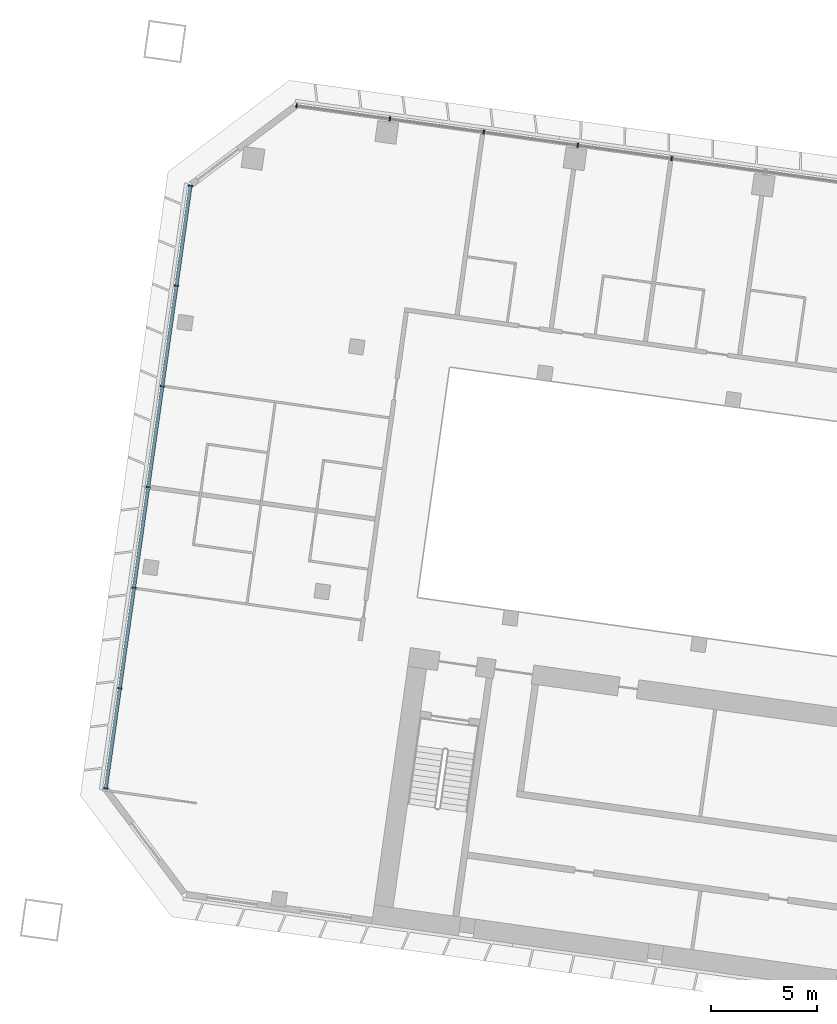
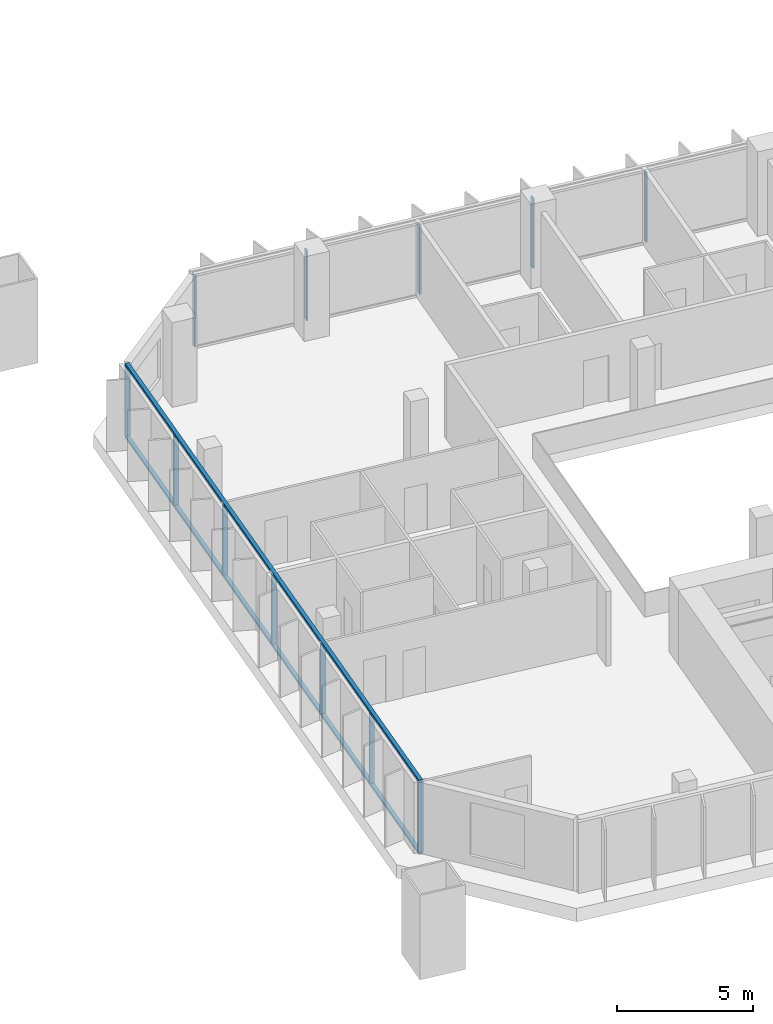
# One storey, part 2 of 24: 14 members, 2 elements without a shape of their own.
"""IFC4 building model written with IfcOpenShell, lengths in metres."""

import ifcopenshell
import ifcopenshell.guid

model = None  # the IFC model being written
_history = None  # IfcOwnerHistory: only IFC2X3 demands one
_inside = {}  # id of a spatial element -> (the spatial element, [elements in it])
_under = {}  # id of a project, library or spatial element -> (it, [spatial elements below it])
_declared = {}  # id of a project -> (the project, [libraries it declares])
_typed = {}  # id of a type object -> (the type object, [elements of that type])
_made_of = {}  # id of a material, layer set ... -> (it, [elements and type objects made of it])


def new_model(schema):
    """Start an empty IFC model of exactly this schema.

    Asked for "IFC4X3", IfcOpenShell would pick the latest addendum, in which some entities
    have other attributes; the version numbers below select the first issue.
    IFC2X3 requires an IfcOwnerHistory on every rooted entity: one is made here for all.
    """
    global model, _history
    if schema == "IFC4X3":
        model = ifcopenshell.file(schema_version=(4, 3, 0, 0))
    else:
        model = ifcopenshell.file(schema=schema)
    _inside.clear()
    _under.clear()
    _declared.clear()
    _typed.clear()
    _made_of.clear()
    _history = None
    if model.schema == "IFC2X3":
        org = make("IfcOrganization", Name="unknown")
        user = make(
            "IfcPersonAndOrganization",
            ThePerson=make("IfcPerson", FamilyName="unknown"),
            TheOrganization=org,
        )
        app = make(
            "IfcApplication",
            ApplicationDeveloper=org,
            Version="unknown",
            ApplicationFullName="unknown",
            ApplicationIdentifier="unknown",
        )
        _history = make(
            "IfcOwnerHistory",
            OwningUser=user,
            OwningApplication=app,
            ChangeAction="ADDED",
            CreationDate=0,
        )
    return model


def make(cls, **values):
    """One entity of the class cls with the attributes given. An attribute that is None is left unset."""
    return model.create_entity(
        cls, **{name: value for name, value in values.items() if value is not None}
    )


def rooted(cls, **values):
    """An entity with a GlobalId (a new one), such as an element, a storey or a relation."""
    return make(cls, GlobalId=ifcopenshell.guid.new(), OwnerHistory=_history, **values)


def si_unit(unit_type, name, prefix=None):
    """IfcSIUnit, for example si_unit("LENGTHUNIT", "METRE", prefix="MILLI")."""
    return make("IfcSIUnit", UnitType=unit_type, Prefix=prefix, Name=name)


def assignment(units):
    """IfcUnitAssignment: the units of a project."""
    return None if units is None else make("IfcUnitAssignment", Units=units)


def point(xyz):
    """IfcCartesianPoint."""
    return None if xyz is None else make("IfcCartesianPoint", Coordinates=xyz)


def direction(xyz):
    """IfcDirection."""
    return None if xyz is None else make("IfcDirection", DirectionRatios=xyz)


def frame(location, z_axis=None, x_axis=None):
    """IfcAxis2Placement3D, a coordinate frame: its origin and axes. An axis left out is left unset."""
    return make(
        "IfcAxis2Placement3D",
        Location=point(location),
        Axis=direction(z_axis),
        RefDirection=direction(x_axis),
    )


def frame_2d(location, x_axis=None):
    """IfcAxis2Placement2D, a coordinate frame in the plane: its origin and x axis."""
    return make(
        "IfcAxis2Placement2D", Location=point(location), RefDirection=direction(x_axis)
    )


def origin():
    """The frame at (0, 0, 0) with its axes left unset."""
    return frame((0.0, 0.0, 0.0))


def origin_2d():
    """The frame at (0, 0) in the plane with its x axis left unset."""
    return frame_2d((0.0, 0.0))


def place(relative_to, where):
    """IfcLocalPlacement: puts the frame where relative to a parent placement (None: the world)."""
    return make(
        "IfcLocalPlacement", PlacementRelTo=relative_to, RelativePlacement=where
    )


def context(
    kind, dimensions, precision=None, world=None, true_north=None, identifier=None
):
    """IfcGeometricRepresentationContext, for example the 3D "Model" context."""
    return make(
        "IfcGeometricRepresentationContext",
        ContextIdentifier=identifier,
        ContextType=kind,
        CoordinateSpaceDimension=dimensions,
        Precision=precision,
        WorldCoordinateSystem=world,
        TrueNorth=true_north,
    )


def subcontext(parent, identifier, kind, view, scale=None):
    """IfcGeometricRepresentationSubContext, for example "Body" below "Model"."""
    return make(
        "IfcGeometricRepresentationSubContext",
        ContextIdentifier=identifier,
        ContextType=kind,
        ParentContext=parent,
        TargetScale=scale,
        TargetView=view,
    )


def project(units=None, contexts=None):
    """IfcProject with its units and contexts."""
    return rooted(
        "IfcProject",
        Name="project",
        RepresentationContexts=contexts,
        UnitsInContext=assignment(units),
    )


def spatial(cls, under=None, at=None, **own):
    """A site, building, storey or space (cls), placed at a placement, below another one or the project."""
    s = rooted(cls, ObjectPlacement=at, **own)
    if under is not None:
        _under.setdefault(under.id(), (under, []))[1].append(s)
    return s


def profile(cls, at=None, kind="AREA", **sizes):
    """A parametric profile (cls). Its sizes go by their IFC names, for example OverallWidth=200.0."""
    return make(cls, ProfileType=kind, Position=at, **sizes)


def rectangle(**sizes):
    """IfcRectangleProfileDef."""
    return profile("IfcRectangleProfileDef", **sizes)


def extrude(swept, where, along, depth):
    """IfcExtrudedAreaSolid: the profile swept, set in the frame where, extruded along a direction by depth."""
    return make(
        "IfcExtrudedAreaSolid",
        SweptArea=swept,
        Position=where,
        ExtrudedDirection=direction(along),
        Depth=depth,
    )


def shape(context_of_items, identifier, shape_type, items):
    """IfcShapeRepresentation: the items that make up one representation, for example the "Body"."""
    return make(
        "IfcShapeRepresentation",
        ContextOfItems=context_of_items,
        RepresentationIdentifier=identifier,
        RepresentationType=shape_type,
        Items=items,
    )


def material(Name=None, Category=None):
    """IfcMaterial."""
    return make("IfcMaterial", Name=Name, Category=Category)


def material_profile(
    of_material, cross_section, Name=None, Category=None, Priority=None
):
    """IfcMaterialProfile: a cross section and its material."""
    return make(
        "IfcMaterialProfile",
        Name=Name,
        Material=of_material,
        Profile=cross_section,
        Priority=Priority,
        Category=Category,
    )


def profile_set(profiles, Name=None, composite=None):
    """IfcMaterialProfileSet."""
    return make(
        "IfcMaterialProfileSet",
        Name=Name,
        MaterialProfiles=profiles,
        CompositeProfile=composite,
    )


def made_of(thing, what):
    """Note that an element or type object is made of a material, layer set ...; save() writes the relation."""
    if what is not None:
        _made_of.setdefault(what.id(), (what, []))[1].append(thing)
    return thing


def type_object(cls, material=None, **own):
    """A type object (cls), such as IfcWallType, which elements share."""
    return made_of(rooted(cls, **own), material)


def element(
    cls,
    number,
    at=None,
    inside=None,
    cuts=None,
    type_object=None,
    material=None,
    context=None,
    identifier="Body",
    shape_type=None,
    held_by="IfcProductDefinitionShape",
    body=None,
    shapes=None,
    **own,
):
    """One element of the class cls, such as IfcWall. Its Tag is "e" and its number.

    at: its placement. inside: the storey or other place that contains it. cuts: it is an
    opening in that element (IfcRelVoidsElement). A single representation is given by context,
    identifier, shape_type and body (its items); several are given by shapes. held_by: the class
    of the entity that holds the representations. save() writes the other relations.
    """
    e = rooted(cls, Tag="e%d" % number, ObjectPlacement=at, **own)
    if body is not None:
        shapes = [shape(context, identifier, shape_type, body)]
    if shapes is not None:
        e.Representation = make(held_by, Representations=shapes)
    if inside is not None:
        _inside.setdefault(inside.id(), (inside, []))[1].append(e)
    if cuts is not None:
        rooted(
            "IfcRelVoidsElement", RelatingBuildingElement=cuts, RelatedOpeningElement=e
        )
    if type_object is not None:
        _typed.setdefault(type_object.id(), (type_object, []))[1].append(e)
    return made_of(e, material)


def aggregate(whole, parts):
    """IfcRelAggregates: a whole, such as a stair, and the parts it consists of."""
    return rooted("IfcRelAggregates", RelatingObject=whole, RelatedObjects=parts)


def save(model, path):
    """Write the relations noted so far, then the file.

    IfcRelAggregates (storeys below a building ...), IfcRelContainedInSpatialStructure (elements
    in a storey), IfcRelDefinesByType, IfcRelAssociatesMaterial and IfcRelDeclares: one each for
    every whole, place, type object, material and project.
    """
    for whole, parts in _under.values():
        aggregate(whole, parts)
    for where, things in _inside.values():
        rooted(
            "IfcRelContainedInSpatialStructure",
            RelatedElements=things,
            RelatingStructure=where,
        )
    for kind, things in _typed.values():
        rooted("IfcRelDefinesByType", RelatedObjects=things, RelatingType=kind)
    for what, things in _made_of.values():
        rooted("IfcRelAssociatesMaterial", RelatedObjects=things, RelatingMaterial=what)
    for by, libraries in _declared.values():
        rooted("IfcRelDeclares", RelatingContext=by, RelatedDefinitions=libraries)
    model.write(path)


model = new_model("IFC4")

# Units and contexts
model_context = context("Model", 3, precision=1e-05, world=origin(), true_north=direction((0.0, 1.0)))
body_context = subcontext(model_context, "Body", "Model", "MODEL_VIEW")
ifc_project = project(units=[si_unit("LENGTHUNIT", "METRE"), si_unit("AREAUNIT", "SQUARE_METRE"), si_unit("VOLUMEUNIT", "CUBIC_METRE"), si_unit("PLANEANGLEUNIT", "RADIAN"), si_unit("MASSUNIT", "GRAM", prefix="KILO")], contexts=[model_context])

# Site, building, storey
site_placement = place(None, origin())
site = spatial("IfcSite", under=ifc_project, at=site_placement, CompositionType="ELEMENT")
building_placement = place(site_placement, origin())
building = spatial("IfcBuilding", under=site, at=building_placement, Name="Mirante Cascada Hotel Towers", CompositionType="ELEMENT")
storey_placement = place(building_placement, frame((0.0, 0.0, 43.3)))
storey = spatial("IfcBuildingStorey", under=building, at=storey_placement, Name="L07", CompositionType="ELEMENT", Elevation=43.3)

# Curtain wall, members
ifc_material_1 = material(Name="Aluminium mullion and transom frame with clear laminated glass", Category="aluminium")
curtain_wall_type_1 = type_object("IfcCurtainWallType", Name="Ribbon curtain wall ECW1", PredefinedType="NOTDEFINED", material=ifc_material_1)
curtain_wall_1_placement = place(storey_placement, origin())
curtain_wall_1 = element("IfcCurtainWall", 1, at=curtain_wall_1_placement, inside=storey, type_object=curtain_wall_type_1, Name="Front ribbon wall T1 L07", PredefinedType="NOTDEFINED")
ifc_material_2 = material(Name="Anodised aluminium extrusion", Category="aluminium")
ifc_material_profile_1 = material_profile(ifc_material_2, rectangle(XDim=0.2, YDim=0.065, at=origin_2d()), Name="ECW1 MULLION 65x200")
ifc_profile_set_1 = profile_set([ifc_material_profile_1], Name="Anodised aluminium extrusion")
member_type_1 = type_object("IfcMemberType", Name="ECW1 mullion 65x200", PredefinedType="MULLION", material=ifc_profile_set_1)
member_1_placement = place(storey_placement, frame((-94.126, 26.0476, 0.1), z_axis=(0.0, 0.0, 1.0), x_axis=(0.1391731, 0.9902681, 0.0)))
member_1 = element("IfcMember", 2, at=member_1_placement, type_object=member_type_1, Name="ECW1 mullion 1", PredefinedType="MULLION", context=body_context, shape_type="SweptSolid", body=[
    extrude(rectangle(XDim=0.2, YDim=0.065, at=origin_2d()), origin(), (0.0, 0.0, 1.0), 3.15),
])
member_2_placement = place(storey_placement, frame((-89.7107, 25.427, 0.1), z_axis=(0.0, 0.0, 1.0), x_axis=(0.1391731, 0.9902681, 0.0)))
member_2 = element("IfcMember", 3, at=member_2_placement, type_object=member_type_1, Name="ECW1 mullion 2", PredefinedType="MULLION", context=body_context, shape_type="SweptSolid", body=[
    extrude(rectangle(XDim=0.2, YDim=0.065, at=origin_2d()), origin(), (0.0, 0.0, 1.0), 3.15),
])
member_3_placement = place(storey_placement, frame((-85.2633, 24.802, 0.1), z_axis=(0.0, 0.0, 1.0), x_axis=(0.1391731, 0.9902681, 0.0)))
member_3 = element("IfcMember", 4, at=member_3_placement, type_object=member_type_1, Name="ECW1 mullion 3", PredefinedType="MULLION", context=body_context, shape_type="SweptSolid", body=[
    extrude(rectangle(XDim=0.2, YDim=0.065, at=origin_2d()), origin(), (0.0, 0.0, 1.0), 3.15),
])
member_4_placement = place(storey_placement, frame((-80.8159, 24.177, 0.1), z_axis=(0.0, 0.0, 1.0), x_axis=(0.1391731, 0.9902681, 0.0)))
member_4 = element("IfcMember", 5, at=member_4_placement, type_object=member_type_1, Name="ECW1 mullion 4", PredefinedType="MULLION", context=body_context, shape_type="SweptSolid", body=[
    extrude(rectangle(XDim=0.2, YDim=0.065, at=origin_2d()), origin(), (0.0, 0.0, 1.0), 3.15),
])
member_5_placement = place(storey_placement, frame((-76.3685, 23.5519, 0.1), z_axis=(0.0, 0.0, 1.0), x_axis=(0.1391731, 0.9902681, 0.0)))
member_5 = element("IfcMember", 6, at=member_5_placement, type_object=member_type_1, Name="ECW1 mullion 5", PredefinedType="MULLION", context=body_context, shape_type="SweptSolid", body=[
    extrude(rectangle(XDim=0.2, YDim=0.065, at=origin_2d()), origin(), (0.0, 0.0, 1.0), 3.15),
])
aggregate(curtain_wall_1, [member_1, member_2, member_3, member_4, member_5])

ifc_material_3 = material(Name="Aluminium mullion and transom frame with clear laminated glass", Category="aluminium")
curtain_wall_type_2 = type_object("IfcCurtainWallType", Name="End ribbon curtain wall ECW2", PredefinedType="NOTDEFINED", material=ifc_material_3)
curtain_wall_2_placement = place(storey_placement, origin())
curtain_wall_2 = element("IfcCurtainWall", 7, at=curtain_wall_2_placement, inside=storey, type_object=curtain_wall_type_2, Name="Outer end wall T1 L07", PredefinedType="NOTDEFINED")
ifc_material_4 = material(Name="Anodised aluminium extrusion", Category="aluminium")
ifc_material_profile_2 = material_profile(ifc_material_4, rectangle(XDim=0.2, YDim=0.065, at=origin_2d()), Name="ECW2 MULLION 65x200")
ifc_profile_set_2 = profile_set([ifc_material_profile_2], Name="Anodised aluminium extrusion")
member_type_2 = type_object("IfcMemberType", Name="ECW2 mullion 65x200", PredefinedType="MULLION", material=ifc_profile_set_2)
member_6_placement = place(storey_placement, frame((-103.1556, -6.2656, 0.1), z_axis=(0.0, 0.0, 1.0), x_axis=(-0.9902681, 0.1391731, 0.0)))
member_6 = element("IfcMember", 8, at=member_6_placement, type_object=member_type_2, Name="ECW2 mullion 1", PredefinedType="MULLION", context=body_context, shape_type="SweptSolid", body=[
    extrude(rectangle(XDim=0.2, YDim=0.065, at=origin_2d()), origin(), (0.0, 0.0, 1.0), 3.15),
])
member_7_placement = place(storey_placement, frame((-102.4903, -1.532, 0.1), z_axis=(0.0, 0.0, 1.0), x_axis=(-0.9902681, 0.1391731, 0.0)))
member_7 = element("IfcMember", 9, at=member_7_placement, type_object=member_type_2, Name="ECW2 mullion 2", PredefinedType="MULLION", context=body_context, shape_type="SweptSolid", body=[
    extrude(rectangle(XDim=0.2, YDim=0.065, at=origin_2d()), origin(), (0.0, 0.0, 1.0), 3.15),
])
member_8_placement = place(storey_placement, frame((-101.8205, 3.2338, 0.1), z_axis=(0.0, 0.0, 1.0), x_axis=(-0.9902681, 0.1391731, 0.0)))
member_8 = element("IfcMember", 10, at=member_8_placement, type_object=member_type_2, Name="ECW2 mullion 3", PredefinedType="MULLION", context=body_context, shape_type="SweptSolid", body=[
    extrude(rectangle(XDim=0.2, YDim=0.065, at=origin_2d()), origin(), (0.0, 0.0, 1.0), 3.15),
])
member_9_placement = place(storey_placement, frame((-101.1508, 7.9996, 0.1), z_axis=(0.0, 0.0, 1.0), x_axis=(-0.9902681, 0.1391731, 0.0)))
member_9 = element("IfcMember", 11, at=member_9_placement, type_object=member_type_2, Name="ECW2 mullion 4", PredefinedType="MULLION", context=body_context, shape_type="SweptSolid", body=[
    extrude(rectangle(XDim=0.2, YDim=0.065, at=origin_2d()), origin(), (0.0, 0.0, 1.0), 3.15),
])
member_10_placement = place(storey_placement, frame((-100.481, 12.7654, 0.1), z_axis=(0.0, 0.0, 1.0), x_axis=(-0.9902681, 0.1391731, 0.0)))
member_10 = element("IfcMember", 12, at=member_10_placement, type_object=member_type_2, Name="ECW2 mullion 5", PredefinedType="MULLION", context=body_context, shape_type="SweptSolid", body=[
    extrude(rectangle(XDim=0.2, YDim=0.065, at=origin_2d()), origin(), (0.0, 0.0, 1.0), 3.15),
])
member_11_placement = place(storey_placement, frame((-99.8112, 17.5312, 0.1), z_axis=(0.0, 0.0, 1.0), x_axis=(-0.9902681, 0.1391731, 0.0)))
member_11 = element("IfcMember", 13, at=member_11_placement, type_object=member_type_2, Name="ECW2 mullion 6", PredefinedType="MULLION", context=body_context, shape_type="SweptSolid", body=[
    extrude(rectangle(XDim=0.2, YDim=0.065, at=origin_2d()), origin(), (0.0, 0.0, 1.0), 3.15),
])
member_12_placement = place(storey_placement, frame((-99.1459, 22.2648, 0.1), z_axis=(0.0, 0.0, 1.0), x_axis=(-0.9902681, 0.1391731, 0.0)))
member_12 = element("IfcMember", 14, at=member_12_placement, type_object=member_type_2, Name="ECW2 mullion 7", PredefinedType="MULLION", context=body_context, shape_type="SweptSolid", body=[
    extrude(rectangle(XDim=0.2, YDim=0.065, at=origin_2d()), origin(), (0.0, 0.0, 1.0), 3.15),
])
ifc_material_5 = material(Name="Anodised aluminium extrusion", Category="aluminium")
ifc_material_profile_3 = material_profile(ifc_material_5, rectangle(XDim=0.16, YDim=0.1, at=origin_2d()), Name="ECW2 TRANSOM 100x160")
ifc_profile_set_3 = profile_set([ifc_material_profile_3], Name="Anodised aluminium extrusion")
member_type_3 = type_object("IfcMemberType", Name="ECW2 transom 100x160", PredefinedType="USERDEFINED", material=ifc_profile_set_3)
member_13_placement = place(storey_placement, frame((-103.1601, -6.2978, 0.05), z_axis=(0.1391723, 0.9902682, 0.0), x_axis=(-0.9902682, 0.1391723, 0.0)))
member_13 = element("IfcMember", 15, at=member_13_placement, type_object=member_type_3, Name="ECW2 sill transom", ObjectType="TRANSOM", PredefinedType="USERDEFINED", context=body_context, shape_type="SweptSolid", body=[
    extrude(rectangle(XDim=0.16, YDim=0.1, at=origin_2d()), origin(), (0.0, 0.0, 1.0), 28.8757),
])
member_14_placement = place(storey_placement, frame((-103.1601, -6.2978, 3.3), z_axis=(0.1391723, 0.9902682, 0.0), x_axis=(-0.9902682, 0.1391723, 0.0)))
member_14 = element("IfcMember", 16, at=member_14_placement, type_object=member_type_3, Name="ECW2 head transom", ObjectType="TRANSOM", PredefinedType="USERDEFINED", context=body_context, shape_type="SweptSolid", body=[
    extrude(rectangle(XDim=0.16, YDim=0.1, at=origin_2d()), origin(), (0.0, 0.0, 1.0), 28.8757),
])
aggregate(curtain_wall_2, [member_13, member_14, member_6, member_7, member_8, member_9, member_10, member_11, member_12])

save(model, "model.ifc")
